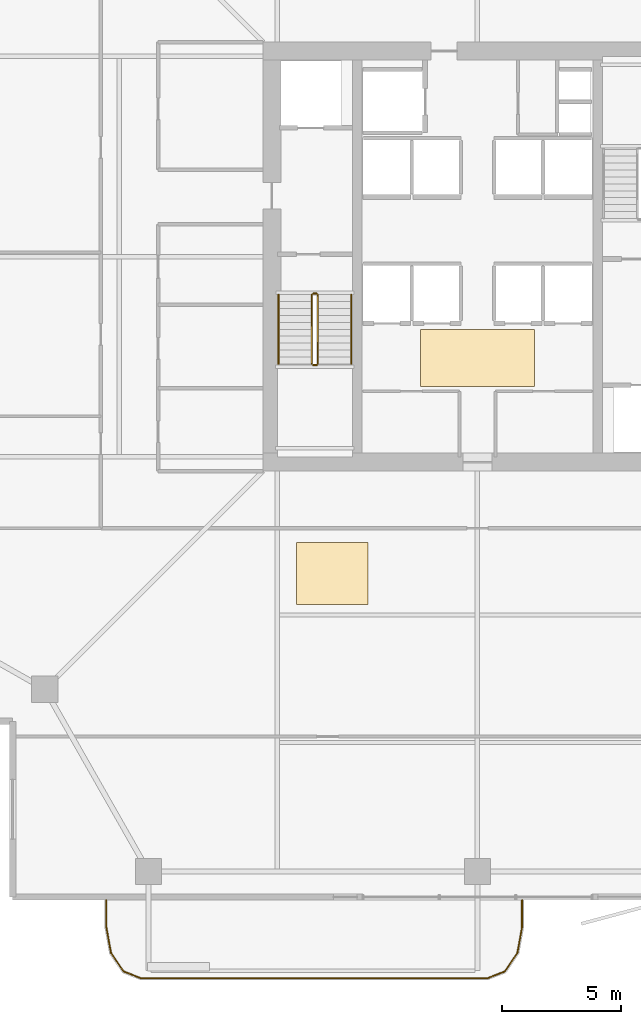
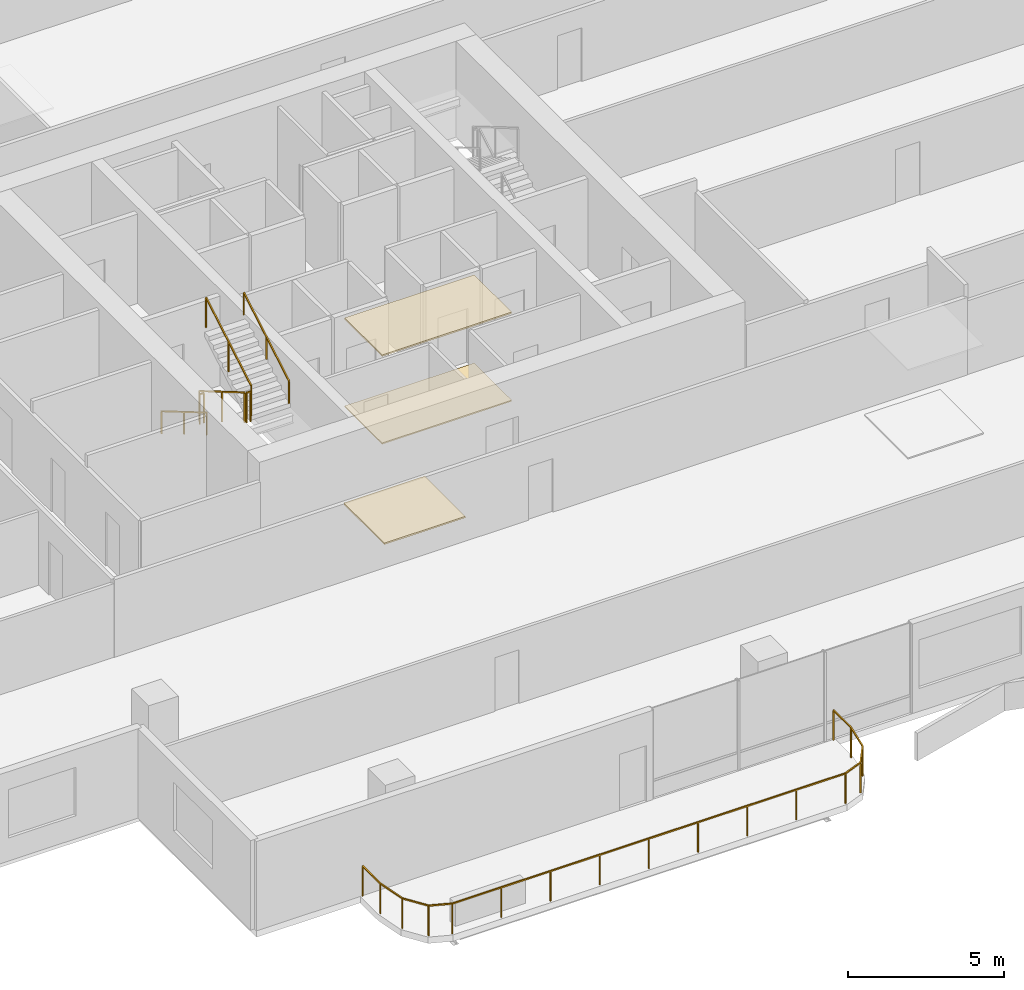
# One storey, part 21 of 24: 7 railings, 3 coverings.
"""IFC4 building model written with IfcOpenShell, lengths in metres."""

from ifc_helpers import new_model, si_unit, direction, frame, origin, origin_2d, place, context, subcontext, project, spatial, polyline, rectangle, outline, extrude, material, layer, layer_set, type_object, element, save


model = new_model("IFC4")

# Units and contexts
model_context = context("Model", 3, precision=1e-05, world=origin(), true_north=direction((0.0, 1.0)))
body_context = subcontext(model_context, "Body", "Model", "MODEL_VIEW")
ifc_project = project(units=[si_unit("LENGTHUNIT", "METRE"), si_unit("AREAUNIT", "SQUARE_METRE"), si_unit("VOLUMEUNIT", "CUBIC_METRE"), si_unit("PLANEANGLEUNIT", "RADIAN"), si_unit("MASSUNIT", "GRAM", prefix="KILO")], contexts=[model_context])

# Site, building, storey
site_placement = place(None, origin())
site = spatial("IfcSite", under=ifc_project, at=site_placement, CompositionType="ELEMENT")
building_placement = place(site_placement, origin())
building = spatial("IfcBuilding", under=site, at=building_placement, Name="Belovzor Exchange Tower", CompositionType="ELEMENT")
storey_placement = place(building_placement, frame((0.0, 0.0, 207.449951171875)))
storey = spatial("IfcBuildingStorey", under=building, at=storey_placement, Name="L51", CompositionType="ELEMENT", Elevation=207.449951171875)

# Railings
ifc_material_1 = material(Name="Stainless Steel Grade 304", Category="steel")
railing_type_1 = type_object("IfcRailingType", Name="Brushed Stainless Steel Stair Handrail 900", PredefinedType="HANDRAIL", material=ifc_material_1)
railing_1_placement = place(storey_placement, frame((20.449951171875, 27.199951171875, 0.17041015625)))
element("IfcRailing", 1, at=railing_1_placement, inside=storey, type_object=railing_type_1, Name="L51 ST-1 stair handrail 1", PredefinedType="HANDRAIL", context=body_context, shape_type="SweptSolid", body=[
    extrude(rectangle(XDim=0.048095703125, YDim=0.048095703125, at=origin_2d()), frame((0.0, 0.0, 0.8759765625), z_axis=(0.0, -0.86209462966, 0.506747323142), x_axis=(1.0, 0.0, 0.0)), (0.0, 0.0, 1.0), 3.36376953125),
    extrude(rectangle(XDim=0.0419921875, YDim=0.0419921875, at=origin_2d()), origin(), (0.0, 0.0, 1.0), 0.851806640625),
    extrude(rectangle(XDim=0.0419921875, YDim=0.0419921875, at=origin_2d()), frame((0.0, -1.449951171875, 0.852294921875)), (0.0, 0.0, 1.0), 0.851806640625),
    extrude(rectangle(XDim=0.0419921875, YDim=0.0419921875, at=origin_2d()), frame((0.0, -2.89990234375, 1.70458984375)), (0.0, 0.0, 1.0), 0.851806640625),
])
railing_2_placement = place(storey_placement, frame((23.5, 24.300048828125, 2.04541015625)))
element("IfcRailing", 2, at=railing_2_placement, inside=storey, type_object=railing_type_1, Name="L51 ST-1 stair handrail 2", PredefinedType="HANDRAIL", context=body_context, shape_type="SweptSolid", body=[
    extrude(rectangle(XDim=0.048095703125, YDim=0.048095703125, at=origin_2d()), frame((0.0, 0.0, 0.8759765625), z_axis=(0.0, 0.86209462966, 0.506747323142), x_axis=(-1.0, 0.0, 0.0)), (0.0, 0.0, 1.0), 3.36376953125),
    extrude(rectangle(XDim=0.0419921875, YDim=0.0419921875, at=origin_2d()), origin(), (0.0, 0.0, 1.0), 0.851806640625),
    extrude(rectangle(XDim=0.0419921875, YDim=0.0419921875, at=origin_2d()), frame((0.0, 1.449951171875, 0.852294921875)), (0.0, 0.0, 1.0), 0.851806640625),
    extrude(rectangle(XDim=0.0419921875, YDim=0.0419921875, at=origin_2d()), frame((0.0, 2.89990234375, 1.70458984375)), (0.0, 0.0, 1.0), 0.851806640625),
])
ifc_material_2 = material(Name="Stainless Steel and Laminated Safety Glass", Category="steel")
railing_type_2 = type_object("IfcRailingType", Name="Laminated Glass & Stainless Steel Balcony Balustrade 1200", PredefinedType="BALUSTRADE", material=ifc_material_2)
railing_3_placement = place(storey_placement, frame((13.22998046875, 1.7900390625, 0.0)))
element("IfcRailing", 3, at=railing_3_placement, inside=storey, type_object=railing_type_2, Name="GR-1 Balcony Balustrade L51 South", PredefinedType="BALUSTRADE", context=body_context, shape_type="SweptSolid", body=[
    extrude(rectangle(XDim=0.048095703125, YDim=0.048095703125, at=origin_2d()), frame((0.0, 0.0, 1.17578125), z_axis=(0.0, -1.0, 0.0), x_axis=(1.0, 0.0, 0.0)), (0.0, 0.0, 1.0), 1.133056640625),
    extrude(rectangle(XDim=0.048095703125, YDim=0.048095703125, at=origin_2d()), frame((0.0, -1.133056640625, 1.17578125), z_axis=(0.180122719713, -0.983644145941, 0.0), x_axis=(0.983644145941, 0.180122719713, 0.0)), (0.0, 0.0, 1.0), 1.09375),
    extrude(rectangle(XDim=0.048095703125, YDim=0.048095703125, at=origin_2d()), frame((0.197021484375, -2.208984375, 1.17578125), z_axis=(0.562768145367, -0.826614792125, 0.0), x_axis=(0.826614792125, 0.562768145367, 0.0)), (0.0, 0.0, 1.0), 0.9326171875),
    extrude(rectangle(XDim=0.048095703125, YDim=0.048095703125, at=origin_2d()), frame((0.721923828125, -2.97998046875, 1.17578125), z_axis=(0.930809580156, -0.365504480807, 0.0), x_axis=(0.365504480807, 0.930809580156, 0.0)), (0.0, 0.0, 1.0), 0.76611328125),
    extrude(rectangle(XDim=0.048095703125, YDim=0.048095703125, at=origin_2d()), frame((1.43505859375, -3.260009765625, 1.17578125), z_axis=(1.0, 0.0, 0.0), x_axis=(0.0, 1.0, 0.0)), (0.0, 0.0, 1.0), 14.570068359375),
    extrude(rectangle(XDim=0.048095703125, YDim=0.048095703125, at=origin_2d()), frame((16.005126953125, -3.260009765625, 1.17578125), z_axis=(0.930766990125, 0.365612923861, 0.0), x_axis=(-0.365612923861, 0.930766990125, 0.0)), (0.0, 0.0, 1.0), 0.765869140625),
    extrude(rectangle(XDim=0.048095703125, YDim=0.048095703125, at=origin_2d()), frame((16.718017578125, -2.97998046875, 1.17578125), z_axis=(0.562768145367, 0.826614792125, 0.0), x_axis=(-0.826614792125, 0.562768145367, 0.0)), (0.0, 0.0, 1.0), 0.9326171875),
    extrude(rectangle(XDim=0.048095703125, YDim=0.048095703125, at=origin_2d()), frame((17.242919921875, -2.208984375, 1.17578125), z_axis=(0.180122719713, 0.983644145941, 0.0), x_axis=(-0.983644145941, 0.180122719713, 0.0)), (0.0, 0.0, 1.0), 1.09375),
    extrude(rectangle(XDim=0.048095703125, YDim=0.048095703125, at=origin_2d()), frame((17.43994140625, -1.133056640625, 1.17578125), z_axis=(0.0, 1.0, 0.0), x_axis=(-1.0, 0.0, 0.0)), (0.0, 0.0, 1.0), 1.133056640625),
    extrude(rectangle(XDim=0.0419921875, YDim=0.0419921875, at=origin_2d()), origin(), (0.0, 0.0, 1.0), 1.15185546875),
    extrude(rectangle(XDim=0.0419921875, YDim=0.0419921875, at=origin_2d()), frame((0.0, -1.133056640625, 0.0)), (0.0, 0.0, 1.0), 1.15185546875),
    extrude(rectangle(XDim=0.0419921875, YDim=0.0419921875, at=origin_2d()), frame((0.197021484375, -2.208984375, 0.0)), (0.0, 0.0, 1.0), 1.15185546875),
    extrude(rectangle(XDim=0.0419921875, YDim=0.0419921875, at=origin_2d()), frame((0.721923828125, -2.97998046875, 0.0)), (0.0, 0.0, 1.0), 1.15185546875),
    extrude(rectangle(XDim=0.0419921875, YDim=0.0419921875, at=origin_2d()), frame((1.43505859375, -3.260009765625, 0.0)), (0.0, 0.0, 1.0), 1.15185546875),
    extrude(rectangle(XDim=0.0419921875, YDim=0.0419921875, at=origin_2d()), frame((3.25634765625, -3.260009765625, 0.0)), (0.0, 0.0, 1.0), 1.15185546875),
    extrude(rectangle(XDim=0.0419921875, YDim=0.0419921875, at=origin_2d()), frame((5.07763671875, -3.260009765625, 0.0)), (0.0, 0.0, 1.0), 1.15185546875),
    extrude(rectangle(XDim=0.0419921875, YDim=0.0419921875, at=origin_2d()), frame((6.89892578125, -3.260009765625, 0.0)), (0.0, 0.0, 1.0), 1.15185546875),
    extrude(rectangle(XDim=0.0419921875, YDim=0.0419921875, at=origin_2d()), frame((8.72021484375, -3.260009765625, 0.0)), (0.0, 0.0, 1.0), 1.15185546875),
    extrude(rectangle(XDim=0.0419921875, YDim=0.0419921875, at=origin_2d()), frame((10.541259765625, -3.260009765625, 0.0)), (0.0, 0.0, 1.0), 1.15185546875),
    extrude(rectangle(XDim=0.0419921875, YDim=0.0419921875, at=origin_2d()), frame((12.362548828125, -3.260009765625, 0.0)), (0.0, 0.0, 1.0), 1.15185546875),
    extrude(rectangle(XDim=0.0419921875, YDim=0.0419921875, at=origin_2d()), frame((14.183837890625, -3.260009765625, 0.0)), (0.0, 0.0, 1.0), 1.15185546875),
    extrude(rectangle(XDim=0.0419921875, YDim=0.0419921875, at=origin_2d()), frame((16.005126953125, -3.260009765625, 0.0)), (0.0, 0.0, 1.0), 1.15185546875),
    extrude(rectangle(XDim=0.0419921875, YDim=0.0419921875, at=origin_2d()), frame((16.718017578125, -2.97998046875, 0.0)), (0.0, 0.0, 1.0), 1.15185546875),
    extrude(rectangle(XDim=0.0419921875, YDim=0.0419921875, at=origin_2d()), frame((17.242919921875, -2.208984375, 0.0)), (0.0, 0.0, 1.0), 1.15185546875),
    extrude(rectangle(XDim=0.0419921875, YDim=0.0419921875, at=origin_2d()), frame((17.43994140625, -1.133056640625, 0.0)), (0.0, 0.0, 1.0), 1.15185546875),
    extrude(rectangle(XDim=0.0419921875, YDim=0.0419921875, at=origin_2d()), frame((17.43994140625, 0.0, 0.0)), (0.0, 0.0, 1.0), 1.15185546875),
])
ifc_material_3 = material(Name="Steel S355", Category="steel")
railing_type_3 = type_object("IfcRailingType", Name="Painted Steel Stairwell Guardrail 1200", PredefinedType="GUARDRAIL", material=ifc_material_3)
railing_4_placement = place(storey_placement, frame((21.85009765625, 27.199951171875, 0.17041015625)))
element("IfcRailing", 4, at=railing_4_placement, inside=storey, type_object=railing_type_3, Name="L51 ST-1 stair guard 1", PredefinedType="GUARDRAIL", context=body_context, shape_type="SweptSolid", body=[
    extrude(rectangle(XDim=0.048095703125, YDim=0.048095703125, at=origin_2d()), frame((0.0, 0.0, 1.17578125), z_axis=(0.0, -0.86209462966, 0.506747323142), x_axis=(1.0, 0.0, 0.0)), (0.0, 0.0, 1.0), 3.36376953125),
    extrude(rectangle(XDim=0.0419921875, YDim=0.0419921875, at=origin_2d()), origin(), (0.0, 0.0, 1.0), 1.15185546875),
    extrude(rectangle(XDim=0.0419921875, YDim=0.0419921875, at=origin_2d()), frame((0.0, -1.449951171875, 0.852294921875)), (0.0, 0.0, 1.0), 1.15185546875),
    extrude(rectangle(XDim=0.0419921875, YDim=0.0419921875, at=origin_2d()), frame((0.0, -2.89990234375, 1.70458984375)), (0.0, 0.0, 1.0), 1.15185546875),
])
railing_5_placement = place(storey_placement, frame((21.89990234375, 24.25, 1.875)))
element("IfcRailing", 5, at=railing_5_placement, inside=storey, type_object=railing_type_3, Name="L51 ST-1 stair guard 2", PredefinedType="GUARDRAIL", context=body_context, shape_type="SweptSolid", body=[
    extrude(rectangle(XDim=0.048095703125, YDim=0.048095703125, at=origin_2d()), frame((0.0, 0.0, 1.17578125), z_axis=(1.0, 0.0, 0.0), x_axis=(0.0, 1.0, 0.0)), (0.0, 0.0, 1.0), 0.150146484375),
    extrude(rectangle(XDim=0.0419921875, YDim=0.0419921875, at=origin_2d()), origin(), (0.0, 0.0, 1.0), 1.15185546875),
    extrude(rectangle(XDim=0.0419921875, YDim=0.0419921875, at=origin_2d()), frame((0.150146484375, 0.0, 0.0)), (0.0, 0.0, 1.0), 1.15185546875),
])
railing_6_placement = place(storey_placement, frame((22.10009765625, 24.300048828125, 2.04541015625)))
element("IfcRailing", 6, at=railing_6_placement, inside=storey, type_object=railing_type_3, Name="L51 ST-1 stair guard 3", PredefinedType="GUARDRAIL", context=body_context, shape_type="SweptSolid", body=[
    extrude(rectangle(XDim=0.048095703125, YDim=0.048095703125, at=origin_2d()), frame((0.0, 0.0, 1.17578125), z_axis=(0.0, 0.86209462966, 0.506747323142), x_axis=(-1.0, 0.0, 0.0)), (0.0, 0.0, 1.0), 3.36376953125),
    extrude(rectangle(XDim=0.0419921875, YDim=0.0419921875, at=origin_2d()), origin(), (0.0, 0.0, 1.0), 1.15185546875),
    extrude(rectangle(XDim=0.0419921875, YDim=0.0419921875, at=origin_2d()), frame((0.0, 1.449951171875, 0.852294921875)), (0.0, 0.0, 1.0), 1.15185546875),
    extrude(rectangle(XDim=0.0419921875, YDim=0.0419921875, at=origin_2d()), frame((0.0, 2.89990234375, 1.70458984375)), (0.0, 0.0, 1.0), 1.15185546875),
])
railing_7_placement = place(storey_placement, frame((21.89990234375, 27.25, 0.0)))
element("IfcRailing", 7, at=railing_7_placement, inside=storey, type_object=railing_type_3, Name="L51 ST-1 stair guard 4", PredefinedType="GUARDRAIL", context=body_context, shape_type="SweptSolid", body=[
    extrude(rectangle(XDim=0.048095703125, YDim=0.048095703125, at=origin_2d()), frame((0.0, 0.0, 1.17578125), z_axis=(1.0, 0.0, 0.0), x_axis=(0.0, 1.0, 0.0)), (0.0, 0.0, 1.0), 0.150146484375),
    extrude(rectangle(XDim=0.0419921875, YDim=0.0419921875, at=origin_2d()), origin(), (0.0, 0.0, 1.0), 1.15185546875),
    extrude(rectangle(XDim=0.0419921875, YDim=0.0419921875, at=origin_2d()), frame((0.150146484375, 0.0, 0.0)), (0.0, 0.0, 1.0), 1.15185546875),
])

# Coverings
ifc_material_4 = material(Name="Perforated Powder-Coated Aluminium", Category="aluminium")
ifc_layer_1 = layer(ifc_material_4, 0.06005859375)
ifc_layer_set_1 = layer_set([ifc_layer_1], Name="Perforated Powder-Coated Aluminium")
covering_type_1 = type_object("IfcCoveringType", Name="Perforated Acoustic Metal Tile Suspended Ceiling 60", PredefinedType="CEILING", material=ifc_layer_set_1)
covering_1_placement = place(storey_placement, frame((0.0, 0.0, 3.43994140625)))
element("IfcCovering", 8, at=covering_1_placement, inside=storey, type_object=covering_type_1, Name="CLG-AC60 Suspended Ceiling CLG-L51-LOB", PredefinedType="CEILING", context=body_context, shape_type="SweptSolid", body=[
    extrude(outline(polyline([(26.39990234375, 23.35009765625), (31.199951171875, 23.35009765625), (31.199951171875, 25.75), (26.39990234375, 25.75), (26.39990234375, 23.35009765625)])), origin(), (0.0, 0.0, 1.0), 0.06005859375),
])
covering_2_placement = place(storey_placement, frame((0.0, 0.0, 3.43994140625)))
element("IfcCovering", 9, at=covering_2_placement, inside=storey, type_object=covering_type_1, Name="CLG-AC60 Suspended Ceiling CLG-L51-Z0", PredefinedType="CEILING", context=body_context, shape_type="SweptSolid", body=[
    extrude(outline(polyline([(21.199951171875, 14.199951171875), (24.199951171875, 14.199951171875), (24.199951171875, 16.800048828125), (21.199951171875, 16.800048828125), (21.199951171875, 14.199951171875)])), origin(), (0.0, 0.0, 1.0), 0.06005859375),
])
ifc_material_5 = material(Name="Polished Natural Granite Tile", Category="masonry")
ifc_layer_2 = layer(ifc_material_5, 0.050048828125)
ifc_layer_set_2 = layer_set([ifc_layer_2], Name="Polished Natural Granite Tile")
covering_type_2 = type_object("IfcCoveringType", Name="Polished Karelian Granite & Raised Access Floor Finish 50", PredefinedType="FLOORING", material=ifc_layer_set_2)
covering_3_placement = place(storey_placement, origin())
element("IfcCovering", 10, at=covering_3_placement, inside=storey, type_object=covering_type_2, Name="FLR-GR50 Floor Finish FLR-L51-LOB", PredefinedType="FLOORING", context=body_context, shape_type="SweptSolid", body=[
    extrude(outline(polyline([(26.39990234375, 23.35009765625), (31.199951171875, 23.35009765625), (31.199951171875, 25.75), (26.39990234375, 25.75), (26.39990234375, 23.35009765625)])), origin(), (0.0, 0.0, 1.0), 0.050048828125),
])

save(model, "model.ifc")
